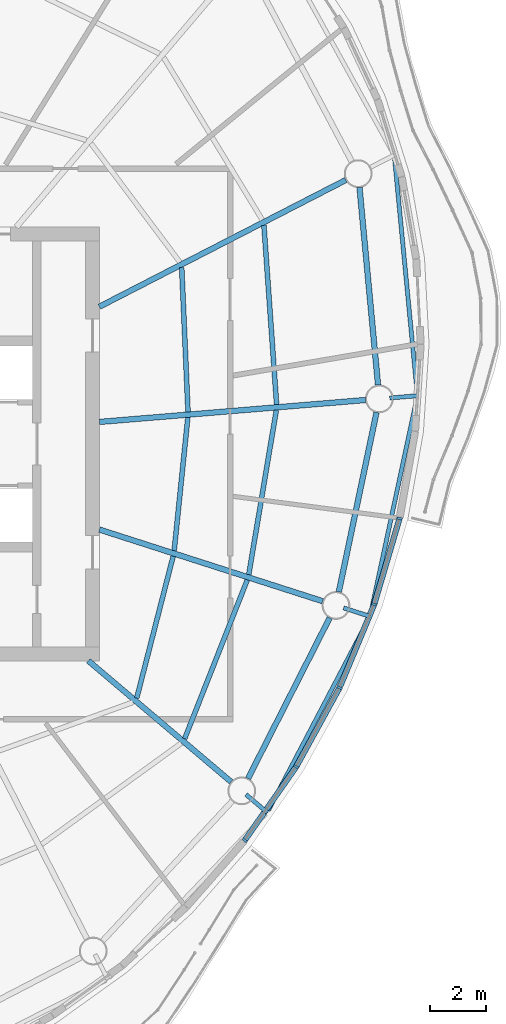
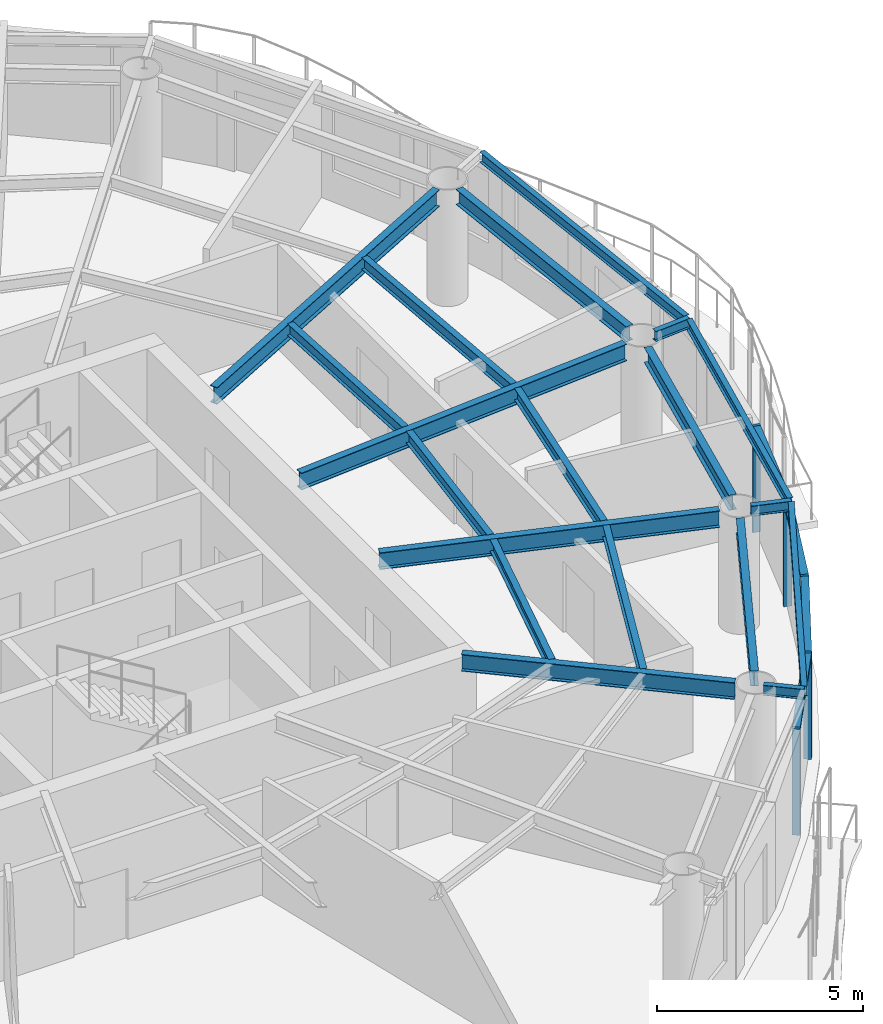
# One storey, part 4 of 13: 19 beams, 9 members, 4 elements without a shape of their own.
"""IFC4 building model written with IfcOpenShell, lengths in metres."""

from ifc_helpers import new_model, si_unit, direction, frame, origin, origin_2d, place, context, subcontext, project, spatial, rectangle, i_section, extrude, material, material_profile, profile_set, type_object, element, aggregate, save


model = new_model("IFC4")

# Units and contexts
model_context = context("Model", 3, precision=1e-05, world=origin(), true_north=direction((0.0, 1.0)))
body_context = subcontext(model_context, "Body", "Model", "MODEL_VIEW")
ifc_project = project(units=[si_unit("LENGTHUNIT", "METRE"), si_unit("AREAUNIT", "SQUARE_METRE"), si_unit("VOLUMEUNIT", "CUBIC_METRE"), si_unit("PLANEANGLEUNIT", "RADIAN"), si_unit("MASSUNIT", "GRAM", prefix="KILO")], contexts=[model_context])

# Site, building, storey
site_placement = place(None, origin())
site = spatial("IfcSite", under=ifc_project, at=site_placement, CompositionType="ELEMENT")
building_placement = place(site_placement, origin())
building = spatial("IfcBuilding", under=site, at=building_placement, Name="Vermilion Reach Broadcast Tower", CompositionType="ELEMENT")
storey_placement = place(building_placement, frame((0.0, 0.0, 290.10009765625)))
storey = spatial("IfcBuildingStorey", under=building, at=storey_placement, Name="L72", CompositionType="ELEMENT", Elevation=290.10009765625)

# Beams
ifc_material_1 = material(Name="Steel S355J2", Category="steel")
ifc_material_profile_1 = material_profile(ifc_material_1, i_section(OverallWidth=0.14990234375, OverallDepth=0.300048828125, WebThickness=0.006591796875, FlangeThickness=0.009033203125, at=origin_2d()), Name="S355J2 HN 300x150x6.5x9")
ifc_profile_set_1 = profile_set([ifc_material_profile_1], Name="Steel S355J2")
beam_type_1 = type_object("IfcBeamType", Name="EB5 HN 300x150x6.5x9", PredefinedType="BEAM", material=ifc_profile_set_1)
beam_1_placement = place(storey_placement, frame((9.669921875, -13.18603515625, 3.2998046875), z_axis=(0.464548962195, 0.885547436179, 0.0), x_axis=(-0.885547436179, 0.464548962195, 0.0)))
element("IfcBeam", 1, at=beam_1_placement, inside=storey, type_object=beam_type_1, Name="Edge beam EB5-12", PredefinedType="BEAM", context=body_context, shape_type="SweptSolid", body=[
    extrude(i_section(OverallWidth=0.14990234375, OverallDepth=0.300048828125, WebThickness=0.006591796875, FlangeThickness=0.009033203125, at=origin_2d()), origin(), (0.0, 0.0, 1.0), 7.80908203125),
])
beam_2_placement = place(storey_placement, frame((13.348876953125, -6.129638671875, 3.2998046875), z_axis=(0.209851505921, 0.977733269078, 0.0), x_axis=(-0.977733269078, 0.209851505921, 0.0)))
element("IfcBeam", 2, at=beam_2_placement, inside=storey, type_object=beam_type_1, Name="Edge beam EB5-13", PredefinedType="BEAM", context=body_context, shape_type="SweptSolid", body=[
    extrude(i_section(OverallWidth=0.14990234375, OverallDepth=0.300048828125, WebThickness=0.006591796875, FlangeThickness=0.009033203125, at=origin_2d()), origin(), (0.0, 0.0, 1.0), 7.96337890625),
])
beam_3_placement = place(storey_placement, frame((15.029052734375, 1.807861328125, 3.2998046875), z_axis=(-0.095933067862, 0.995387786991, 0.0), x_axis=(-0.995387786991, -0.095933067862, 0.0)))
element("IfcBeam", 3, at=beam_3_placement, inside=storey, type_object=beam_type_1, Name="Edge beam EB5-14", PredefinedType="BEAM", context=body_context, shape_type="SweptSolid", body=[
    extrude(i_section(OverallWidth=0.14990234375, OverallDepth=0.300048828125, WebThickness=0.006591796875, FlangeThickness=0.009033203125, at=origin_2d()), origin(), (0.0, 0.0, 1.0), 8.5380859375),
])
ifc_material_2 = material(Name="Steel S355J2", Category="steel")
ifc_material_profile_2 = material_profile(ifc_material_2, i_section(OverallWidth=0.199951171875, OverallDepth=0.5, WebThickness=0.010009765625, FlangeThickness=0.01611328125, at=origin_2d()), Name="S355J2 HN 500x200x10x16")
ifc_profile_set_2 = profile_set([ifc_material_profile_2], Name="Steel S355J2")
beam_type_2 = type_object("IfcBeamType", Name="G5 HN 500x200x10x16", PredefinedType="BEAM", material=ifc_profile_set_2)
beam_4_placement = place(storey_placement, frame((3.20068359375, -7.800048828125, 3.199951171875), z_axis=(0.762793125612, -0.646642596431, 0.0), x_axis=(0.646642596431, 0.762793125612, 0.0)))
element("IfcBeam", 4, at=beam_4_placement, inside=storey, type_object=beam_type_2, Name="Girder G5-12", PredefinedType="BEAM", context=body_context, shape_type="SweptSolid", body=[
    extrude(i_section(OverallWidth=0.199951171875, OverallDepth=0.5, WebThickness=0.010009765625, FlangeThickness=0.01611328125, at=origin_2d()), origin(), (0.0, 0.0, 1.0), 6.732421875),
])
beam_5_placement = place(storey_placement, frame((3.60009765625, -3.080322265625, 3.199951171875), z_axis=(0.952178453449, -0.305542456604, 0.0), x_axis=(0.305542456604, 0.952178453449, 0.0)))
element("IfcBeam", 5, at=beam_5_placement, inside=storey, type_object=beam_type_2, Name="Girder G5-13", PredefinedType="BEAM", context=body_context, shape_type="SweptSolid", body=[
    extrude(i_section(OverallWidth=0.199951171875, OverallDepth=0.5, WebThickness=0.010009765625, FlangeThickness=0.01611328125, at=origin_2d()), origin(), (0.0, 0.0, 1.0), 8.43310546875),
])
beam_6_placement = place(storey_placement, frame((3.60009765625, 0.791015625, 3.199951171875), z_axis=(0.996624410075, 0.082096195058, 0.0), x_axis=(-0.082096195058, 0.996624410075, 0.0)))
element("IfcBeam", 6, at=beam_6_placement, inside=storey, type_object=beam_type_2, Name="Girder G5-14", PredefinedType="BEAM", context=body_context, shape_type="SweptSolid", body=[
    extrude(i_section(OverallWidth=0.199951171875, OverallDepth=0.5, WebThickness=0.010009765625, FlangeThickness=0.01611328125, at=origin_2d()), origin(), (0.0, 0.0, 1.0), 9.599609375),
])
beam_7_placement = place(storey_placement, frame((3.60009765625, 4.935791015625, 3.199951171875), z_axis=(0.889332502449, 0.457261085254, 0.0), x_axis=(-0.457261085254, 0.889332502449, 0.0)))
element("IfcBeam", 7, at=beam_7_placement, inside=storey, type_object=beam_type_2, Name="Girder G5-15", PredefinedType="BEAM", context=body_context, shape_type="SweptSolid", body=[
    extrude(i_section(OverallWidth=0.199951171875, OverallDepth=0.5, WebThickness=0.010009765625, FlangeThickness=0.01611328125, at=origin_2d()), origin(), (0.0, 0.0, 1.0), 9.96337890625),
])
ifc_material_3 = material(Name="Steel S355J2", Category="steel")
ifc_material_profile_3 = material_profile(ifc_material_3, i_section(OverallWidth=0.14990234375, OverallDepth=0.300048828125, WebThickness=0.006591796875, FlangeThickness=0.009033203125, at=origin_2d()), Name="S355J2 HN 300x150x6.5x9")
ifc_profile_set_3 = profile_set([ifc_material_profile_3], Name="Steel S355J2")
beam_type_3 = type_object("IfcBeamType", Name="GS5 HN 300x150x6.5x9", PredefinedType="BEAM", material=ifc_profile_set_3)
beam_8_placement = place(storey_placement, frame((8.871337890625, -12.607421875, 3.2998046875), z_axis=(0.762811928474, -0.646620415529, 0.0), x_axis=(0.646620415529, 0.762811928474, 0.0)))
element("IfcBeam", 8, at=beam_8_placement, inside=storey, type_object=beam_type_3, Name="Cantilever stub GS5-12", PredefinedType="BEAM", context=body_context, shape_type="SweptSolid", body=[
    extrude(i_section(OverallWidth=0.14990234375, OverallDepth=0.300048828125, WebThickness=0.006591796875, FlangeThickness=0.009033203125, at=origin_2d()), origin(), (0.0, 0.0, 1.0), 1.000244140625),
])
for number, where, z_axis, x_axis, name in (
    (9, (12.380859375, -5.89794921875, 3.2998046875), (0.952211297084, -0.305440085295, 0.0), (0.305440085295, 0.952211297084, 0.0), "Cantilever stub GS5-13"),
    (10, (14.039794921875, 1.651123046875, 3.2998046875), (0.996629436565, 0.082035152054, 0.0), (-0.082035152054, 0.996629436565, 0.0), "Cantilever stub GS5-14"),
):
    element("IfcBeam", number, at=place(storey_placement, frame(where, z_axis=z_axis, x_axis=x_axis)), inside=storey, type_object=beam_type_3, Name=name, PredefinedType="BEAM", context=body_context, shape_type="SweptSolid", body=[
        extrude(i_section(OverallWidth=0.14990234375, OverallDepth=0.300048828125, WebThickness=0.006591796875, FlangeThickness=0.009033203125, at=origin_2d()), origin(), (0.0, 0.0, 1.0), 1.0),
    ])
ifc_material_4 = material(Name="Steel S355J2", Category="steel")
ifc_material_profile_4 = material_profile(ifc_material_4, i_section(OverallWidth=0.199951171875, OverallDepth=0.449951171875, WebThickness=0.009033203125, FlangeThickness=0.013916015625, at=origin_2d()), Name="S355J2 HN 450x200x9x14")
ifc_profile_set_4 = profile_set([ifc_material_profile_4], Name="Steel S355J2")
beam_type_4 = type_object("IfcBeamType", Name="RB5 HN 450x200x9x14", PredefinedType="BEAM", material=ifc_profile_set_4)
beam_9_placement = place(storey_placement, frame((8.944091796875, -12.03125, 3.224853515625), z_axis=(0.453052302855, 0.891483937532, 0.0), x_axis=(-0.891483937532, 0.453052302855, 0.0)))
element("IfcBeam", 11, at=beam_9_placement, inside=storey, type_object=beam_type_4, Name="Ring beam RB5-12", PredefinedType="BEAM", context=body_context, shape_type="SweptSolid", body=[
    extrude(i_section(OverallWidth=0.199951171875, OverallDepth=0.449951171875, WebThickness=0.009033203125, FlangeThickness=0.013916015625, at=origin_2d()), origin(), (0.0, 0.0, 1.0), 6.47900390625),
])
beam_10_placement = place(storey_placement, frame((12.208740234375, -5.3203125, 3.224853515625), z_axis=(0.205444869285, 0.978668690459, 0.0), x_axis=(-0.978668690459, 0.205444869285, 0.0)))
element("IfcBeam", 12, at=beam_10_placement, inside=storey, type_object=beam_type_4, Name="Ring beam RB5-13", PredefinedType="BEAM", context=body_context, shape_type="SweptSolid", body=[
    extrude(i_section(OverallWidth=0.199951171875, OverallDepth=0.449951171875, WebThickness=0.009033203125, FlangeThickness=0.013916015625, at=origin_2d()), origin(), (0.0, 0.0, 1.0), 6.591796875),
])
beam_11_placement = place(storey_placement, frame((13.618896484375, 2.1181640625, 3.224853515625), z_axis=(-0.093441399272, 0.995624781181, 0.0), x_axis=(-0.995624781181, -0.093441399272, 0.0)))
element("IfcBeam", 13, at=beam_11_placement, inside=storey, type_object=beam_type_4, Name="Ring beam RB5-14", PredefinedType="BEAM", context=body_context, shape_type="SweptSolid", body=[
    extrude(i_section(OverallWidth=0.199951171875, OverallDepth=0.449951171875, WebThickness=0.009033203125, FlangeThickness=0.013916015625, at=origin_2d()), origin(), (0.0, 0.0, 1.0), 7.135498046875),
])
ifc_material_5 = material(Name="Steel S355J2", Category="steel")
ifc_material_profile_5 = material_profile(ifc_material_5, i_section(OverallWidth=0.175048828125, OverallDepth=0.35009765625, WebThickness=0.007080078125, FlangeThickness=0.010986328125, at=origin_2d()), Name="S355J2 HN 350x175x7x11")
ifc_profile_set_5 = profile_set([ifc_material_profile_5], Name="Steel S355J2")
beam_type_5 = type_object("IfcBeamType", Name="SB5 HN 350x175x7x11", PredefinedType="BEAM", material=ifc_profile_set_5)
beam_12_placement = place(storey_placement, frame((4.940185546875, -9.1435546875, 3.27490234375), z_axis=(0.248729575729, 0.968572969971, 0.0), x_axis=(-0.968572969971, 0.248729575729, 0.0)))
element("IfcBeam", 14, at=beam_12_placement, inside=storey, type_object=beam_type_5, Name="Secondary beam SB5-12-1", PredefinedType="BEAM", context=body_context, shape_type="SweptSolid", body=[
    extrude(i_section(OverallWidth=0.175048828125, OverallDepth=0.35009765625, WebThickness=0.007080078125, FlangeThickness=0.010986328125, at=origin_2d()), origin(), (0.0, 0.0, 1.0), 5.27294921875),
])
beam_13_placement = place(storey_placement, frame((6.6630859375, -10.604248046875, 3.27490234375), z_axis=(0.366931189603, 0.930248086317, 0.0), x_axis=(-0.930248086317, 0.366931189603, 0.0)))
element("IfcBeam", 15, at=beam_13_placement, inside=storey, type_object=beam_type_5, Name="Secondary beam SB5-12-2", PredefinedType="BEAM", context=body_context, shape_type="SweptSolid", body=[
    extrude(i_section(OverallWidth=0.175048828125, OverallDepth=0.35009765625, WebThickness=0.007080078125, FlangeThickness=0.010986328125, at=origin_2d()), origin(), (0.0, 0.0, 1.0), 6.141357421875),
])
beam_14_placement = place(storey_placement, frame((6.287109375, -3.837646484375, 3.27490234375), z_axis=(0.102113775264, 0.994772726255, 0.0), x_axis=(-0.994772726255, 0.102113775264, 0.0)))
element("IfcBeam", 16, at=beam_14_placement, inside=storey, type_object=beam_type_5, Name="Secondary beam SB5-13-1", PredefinedType="BEAM", context=body_context, shape_type="SweptSolid", body=[
    extrude(i_section(OverallWidth=0.175048828125, OverallDepth=0.35009765625, WebThickness=0.007080078125, FlangeThickness=0.010986328125, at=origin_2d()), origin(), (0.0, 0.0, 1.0), 4.815185546875),
])
beam_15_placement = place(storey_placement, frame((8.969970703125, -4.698486328125, 3.27490234375), z_axis=(0.16532337011, 0.986239414795, 0.0), x_axis=(-0.986239414795, 0.16532337011, 0.0)))
element("IfcBeam", 17, at=beam_15_placement, inside=storey, type_object=beam_type_5, Name="Secondary beam SB5-13-2", PredefinedType="BEAM", context=body_context, shape_type="SweptSolid", body=[
    extrude(i_section(OverallWidth=0.175048828125, OverallDepth=0.35009765625, WebThickness=0.007080078125, FlangeThickness=0.010986328125, at=origin_2d()), origin(), (0.0, 0.0, 1.0), 5.99560546875),
])
beam_16_placement = place(storey_placement, frame((6.78466796875, 1.153564453125, 3.27490234375), z_axis=(-0.043557530017, 0.999050920413, 0.0), x_axis=(-0.999050920413, -0.043557530017, 0.0)))
element("IfcBeam", 18, at=beam_16_placement, inside=storey, type_object=beam_type_5, Name="Secondary beam SB5-14-1", PredefinedType="BEAM", context=body_context, shape_type="SweptSolid", body=[
    extrude(i_section(OverallWidth=0.175048828125, OverallDepth=0.35009765625, WebThickness=0.007080078125, FlangeThickness=0.010986328125, at=origin_2d()), origin(), (0.0, 0.0, 1.0), 5.19580078125),
])
beam_17_placement = place(storey_placement, frame((9.97119140625, 1.416259765625, 3.27490234375), z_axis=(-0.070586780458, 0.997505642302, 0.0), x_axis=(-0.997505642302, -0.070586780458, 0.0)))
element("IfcBeam", 19, at=beam_17_placement, inside=storey, type_object=beam_type_5, Name="Secondary beam SB5-14-2", PredefinedType="BEAM", context=body_context, shape_type="SweptSolid", body=[
    extrude(i_section(OverallWidth=0.175048828125, OverallDepth=0.35009765625, WebThickness=0.007080078125, FlangeThickness=0.010986328125, at=origin_2d()), origin(), (0.0, 0.0, 1.0), 6.46435546875),
])

# Curtain wall, member
ifc_material_6 = material(Name="Low-e laminated clear glass in aluminium frame", Category="aluminium")
curtain_wall_type = type_object("IfcCurtainWallType", Name="Slot curtain wall", PredefinedType="NOTDEFINED", material=ifc_material_6)
placement = place(storey_placement, origin())
curtain_wall_1 = element("IfcCurtainWall", 20, at=placement, inside=storey, type_object=curtain_wall_type, Name="Slot curtain wall L72 34", PredefinedType="NOTDEFINED")
ifc_material_7 = material(Name="Anodised aluminium", Category="aluminium")
ifc_material_profile_6 = material_profile(ifc_material_7, rectangle(XDim=0.199951171875, YDim=0.080078125, at=origin_2d()), Name="Slot mullion 80 x 200")
ifc_profile_set_6 = profile_set([ifc_material_profile_6], Name="Anodised aluminium")
member_type_1 = type_object("IfcMemberType", Name="Slot mullion 80 x 200", PredefinedType="MULLION", material=ifc_profile_set_6)
member_1_placement = place(storey_placement, frame((8.826904296875, -14.253662109375, 0.0), z_axis=(0.0, 0.0, 1.0), x_axis=(-0.78713980845, 0.616774611956, 0.0)))
member_1 = element("IfcMember", 21, at=member_1_placement, type_object=member_type_1, Name="Slot mullion L72 34", PredefinedType="MULLION", context=body_context, shape_type="SweptSolid", body=[
    extrude(rectangle(XDim=0.199951171875, YDim=0.080078125, at=origin_2d()), origin(), (0.0, 0.0, 1.0), 3.14990234375),
])

curtain_wall_2 = element("IfcCurtainWall", 22, at=placement, inside=storey, type_object=curtain_wall_type, Name="Slot curtain wall L72 35", PredefinedType="NOTDEFINED")
member_2_placement = place(storey_placement, frame((10.673583984375, -11.6103515625, 0.0), z_axis=(0.0, 0.0, 1.0), x_axis=(-0.849470061746, 0.527636820358, 0.0)))
member_2 = element("IfcMember", 23, at=member_2_placement, type_object=member_type_1, Name="Slot mullion L72 35", PredefinedType="MULLION", context=body_context, shape_type="SweptSolid", body=[
    extrude(rectangle(XDim=0.199951171875, YDim=0.080078125, at=origin_2d()), origin(), (0.0, 0.0, 1.0), 3.14990234375),
])

curtain_wall_3 = element("IfcCurtainWall", 24, at=placement, inside=storey, type_object=curtain_wall_type, Name="Slot curtain wall L72 36", PredefinedType="NOTDEFINED")
member_3_placement = place(storey_placement, frame((12.233642578125, -8.767333984375, 0.0), z_axis=(0.0, 0.0, 1.0), x_axis=(-0.90122838961, 0.433344423941, 0.0)))
member_3 = element("IfcMember", 25, at=member_3_placement, type_object=member_type_1, Name="Slot mullion L72 36", PredefinedType="MULLION", context=body_context, shape_type="SweptSolid", body=[
    extrude(rectangle(XDim=0.199951171875, YDim=0.080078125, at=origin_2d()), origin(), (0.0, 0.0, 1.0), 3.14990234375),
])

# Curtain wall, members
curtain_wall_4 = element("IfcCurtainWall", 26, at=placement, inside=storey, type_object=curtain_wall_type, Name="Slot curtain wall L72 37", PredefinedType="NOTDEFINED")
member_4_placement = place(storey_placement, frame((13.480224609375, -5.773681640625, 0.0), z_axis=(0.0, 0.0, 1.0), x_axis=(-0.942559418153, 0.334038535578, 0.0)))
member_4 = element("IfcMember", 27, at=member_4_placement, type_object=member_type_1, Name="Slot mullion L72 37", PredefinedType="MULLION", context=body_context, shape_type="SweptSolid", body=[
    extrude(rectangle(XDim=0.199951171875, YDim=0.080078125, at=origin_2d()), origin(), (0.0, 0.0, 1.0), 3.14990234375),
])
member_5_placement = place(storey_placement, frame((14.3916015625, -2.680908203125, 0.0), z_axis=(0.0, 0.0, 1.0), x_axis=(-0.973263009296, 0.229693523496, 0.0)))
member_5 = element("IfcMember", 28, at=member_5_placement, type_object=member_type_1, Name="Slot mullion L72 38", PredefinedType="MULLION", context=body_context, shape_type="SweptSolid", body=[
    extrude(rectangle(XDim=0.199951171875, YDim=0.080078125, at=origin_2d()), origin(), (0.0, 0.0, 1.0), 3.14990234375),
])

# Member
ifc_material_8 = material(Name="Anodised aluminium", Category="aluminium")
ifc_material_profile_7 = material_profile(ifc_material_8, rectangle(XDim=0.199951171875, YDim=0.10009765625, at=origin_2d()), Name="Slot transom 200 x 100")
ifc_profile_set_7 = profile_set([ifc_material_profile_7], Name="Anodised aluminium")
member_type_2 = type_object("IfcMemberType", Name="Slot transom 200 x 100", PredefinedType="USERDEFINED", material=ifc_profile_set_7)
member_6_placement = place(storey_placement, frame((8.849853515625, -14.220947265625, 3.099853515625), z_axis=(0.572701291225, 0.819764131339, 0.0), x_axis=(-0.819764131339, 0.572701291225, 0.0)))
member_6 = element("IfcMember", 29, at=member_6_placement, type_object=member_type_2, Name="Slot transom L72 34.1", ObjectType="TRANSOM", PredefinedType="USERDEFINED", context=body_context, shape_type="SweptSolid", body=[
    extrude(rectangle(XDim=0.199951171875, YDim=0.10009765625, at=origin_2d()), origin(), (0.0, 0.0, 1.0), 3.144287109375),
])

aggregate(curtain_wall_1, [member_1, member_6])

member_7_placement = place(storey_placement, frame((10.69287109375, -11.575439453125, 3.099853515625), z_axis=(0.481035510101, 0.876701110996, 0.0), x_axis=(-0.876701110996, 0.481035510101, 0.0)))
member_7 = element("IfcMember", 30, at=member_7_placement, type_object=member_type_2, Name="Slot transom L72 35.1", ObjectType="TRANSOM", PredefinedType="USERDEFINED", context=body_context, shape_type="SweptSolid", body=[
    extrude(rectangle(XDim=0.199951171875, YDim=0.10009765625, at=origin_2d()), origin(), (0.0, 0.0, 1.0), 3.162841796875),
])

aggregate(curtain_wall_2, [member_2, member_7])

member_8_placement = place(storey_placement, frame((12.2490234375, -8.73046875, 3.099853515625), z_axis=(0.384396141635, 0.923168243765, 0.0), x_axis=(-0.923168243765, 0.384396141635, 0.0)))
member_8 = element("IfcMember", 31, at=member_8_placement, type_object=member_type_2, Name="Slot transom L72 36.1", ObjectType="TRANSOM", PredefinedType="USERDEFINED", context=body_context, shape_type="SweptSolid", body=[
    extrude(rectangle(XDim=0.199951171875, YDim=0.10009765625, at=origin_2d()), origin(), (0.0, 0.0, 1.0), 3.162841796875),
])

aggregate(curtain_wall_3, [member_3, member_8])

member_9_placement = place(storey_placement, frame((13.491455078125, -5.7353515625, 3.099853515625), z_axis=(0.282700141482, 0.959208335038, 0.0), x_axis=(-0.959208335038, 0.282700141482, 0.0)))
member_9 = element("IfcMember", 32, at=member_9_placement, type_object=member_type_2, Name="Slot transom L72 37.1", ObjectType="TRANSOM", PredefinedType="USERDEFINED", context=body_context, shape_type="SweptSolid", body=[
    extrude(rectangle(XDim=0.199951171875, YDim=0.10009765625, at=origin_2d()), origin(), (0.0, 0.0, 1.0), 3.144287109375),
])

aggregate(curtain_wall_4, [member_4, member_5, member_9])

save(model, "model.ifc")
